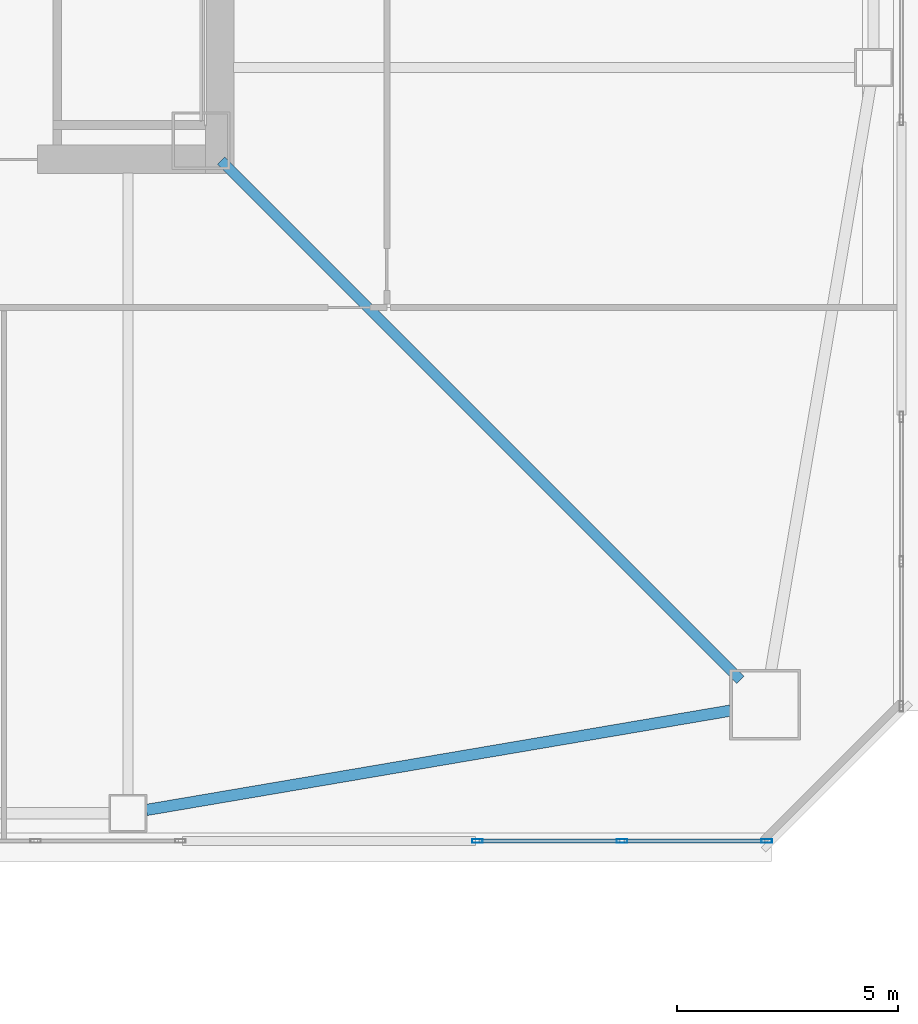
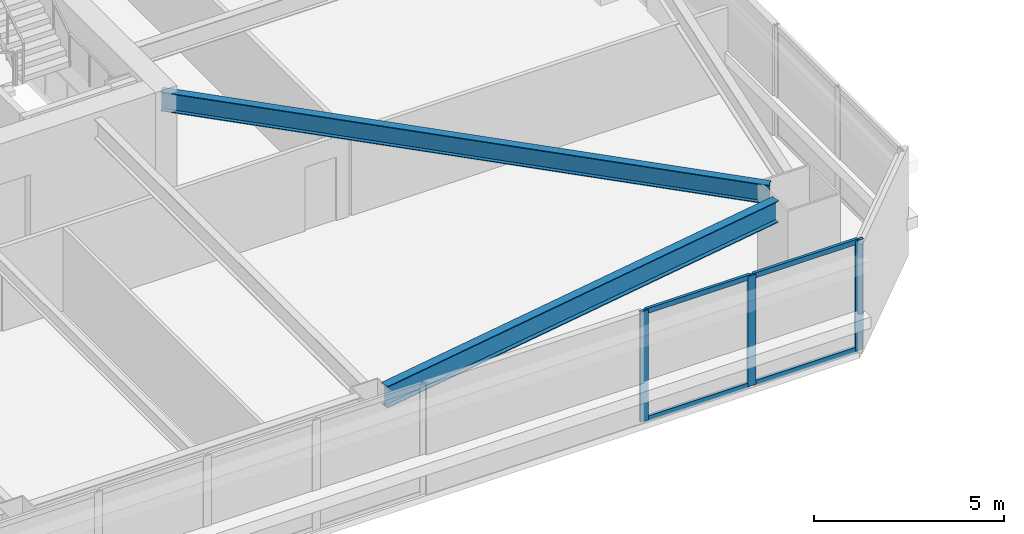
# One storey, part 8 of 47: 7 members, 2 beams, 1 element without a shape of its own.
"""IFC4 building model written with IfcOpenShell, lengths in metres."""

from ifc_helpers import new_model, si_unit, direction, frame, origin, origin_2d, place, context, subcontext, project, spatial, hollow_rectangle, i_section, extrude, material, material_profile, profile_set, type_object, element, aggregate, save


model = new_model("IFC4")

# Units and contexts
model_context = context("Model", 3, precision=1e-05, world=origin(), true_north=direction((0.0, 1.0)))
body_context = subcontext(model_context, "Body", "Model", "MODEL_VIEW")
ifc_project = project(units=[si_unit("LENGTHUNIT", "METRE"), si_unit("AREAUNIT", "SQUARE_METRE"), si_unit("VOLUMEUNIT", "CUBIC_METRE"), si_unit("PLANEANGLEUNIT", "RADIAN"), si_unit("MASSUNIT", "GRAM", prefix="KILO")], contexts=[model_context])

# Site, building, storey
site_placement = place(None, origin())
site = spatial("IfcSite", under=ifc_project, at=site_placement, CompositionType="ELEMENT")
building_placement = place(site_placement, origin())
building = spatial("IfcBuilding", under=site, at=building_placement, Name="Tashvorn Skyway Center", CompositionType="ELEMENT")
storey_placement = place(building_placement, frame((0.0, 0.0, 42.35009765625)))
storey = spatial("IfcBuildingStorey", under=building, at=storey_placement, Name="L10", CompositionType="ELEMENT", Elevation=42.35009765625)

# Beams
ifc_material_1 = material(Name="Steel ASTM A992 Grade 50", Category="steel")
ifc_material_profile_1 = material_profile(ifc_material_1, i_section(OverallWidth=0.22998046875, OverallDepth=0.616943359375, WebThickness=0.01318359375, FlangeThickness=0.022216796875, at=origin_2d()), Name="W24X94")
ifc_profile_set_1 = profile_set([ifc_material_profile_1], Name="Steel ASTM A992 Grade 50")
beam_type_1 = type_object("IfcBeamType", Name="BM-BEAM-W24X94", PredefinedType="BEAM", material=ifc_profile_set_1)
beam_1_placement = place(storey_placement, frame((61.23779296875, 12.76220703125, 3.04150390625), z_axis=(-0.707106781187, 0.707106781187, 0.0), x_axis=(-0.707106781187, -0.707106781187, 0.0)))
element("IfcBeam", 1, at=beam_1_placement, inside=storey, type_object=beam_type_1, Name="Tower 1 L10 Primary Floor Girder MC-SE", PredefinedType="BEAM", context=body_context, shape_type="SweptSolid", body=[
    extrude(i_section(OverallWidth=0.22998046875, OverallDepth=0.616943359375, WebThickness=0.01318359375, FlangeThickness=0.022216796875, at=origin_2d()), origin(), (0.0, 0.0, 1.0), 16.591064453125),
])
ifc_material_profile_2 = material_profile(ifc_material_1, i_section(OverallWidth=0.256103515625, OverallDepth=0.693115234375, WebThickness=0.014404296875, FlangeThickness=0.023681640625, at=origin_2d()), Name="W27X114")
ifc_profile_set_2 = profile_set([ifc_material_profile_2], Name="Steel ASTM A992 Grade 50")
beam_type_2 = type_object("IfcBeamType", Name="BM-SPANDREL-W27X114", PredefinedType="SPANDREL", material=ifc_profile_set_2)
beam_2_placement = place(storey_placement, frame((47.81396484375, 9.820556640625, 3.00341796875), z_axis=(0.985835025551, 0.16771792509, 0.0), x_axis=(-0.16771792509, 0.985835025551, 0.0)))
element("IfcBeam", 2, at=beam_2_placement, inside=storey, type_object=beam_type_2, Name="Tower 1 L10 Spandrel Beam 03", PredefinedType="SPANDREL", context=body_context, shape_type="SweptSolid", body=[
    extrude(i_section(OverallWidth=0.256103515625, OverallDepth=0.693115234375, WebThickness=0.014404296875, FlangeThickness=0.023681640625, at=origin_2d()), origin(), (0.0, 0.0, 1.0), 13.39208984375),
])

# Curtain wall, members
ifc_material_2 = material(Name="Thermally broken bronze-anodized aluminium 6063-T6", Category="aluminium")
curtain_wall_type = type_object("IfcCurtainWallType", Name="CW-CW-Z1", PredefinedType="NOTDEFINED", material=ifc_material_2)
curtain_wall_placement = place(storey_placement, origin())
curtain_wall = element("IfcCurtainWall", 3, at=curtain_wall_placement, inside=storey, type_object=curtain_wall_type, Name="Tower 1 L10 South Unitised Curtain Wall Glazing Group 1", PredefinedType="NOTDEFINED")
ifc_material_profile_3 = material_profile(ifc_material_2, hollow_rectangle(XDim=0.0849609375, YDim=0.239990234375, WallThickness=0.0048828125, at=origin_2d()), Name="ALU-MULL-85x240")
ifc_profile_set_3 = profile_set([ifc_material_profile_3], Name="Thermally broken bronze-anodized aluminium 6063-T6")
member_type_1 = type_object("IfcMemberType", Name="CWM-CW-Z1", PredefinedType="MULLION", material=ifc_profile_set_3)
member_1_placement = place(storey_placement, frame((61.83740234375, 9.1201171875, 0.0), z_axis=(0.0, 0.0, 1.0), x_axis=(0.0, -1.0, 0.0)))
member_1 = element("IfcMember", 4, at=member_1_placement, type_object=member_type_1, Name="CW-Z1 mullion 1", PredefinedType="MULLION", context=body_context, shape_type="SweptSolid", body=[
    extrude(hollow_rectangle(XDim=0.0849609375, YDim=0.239990234375, WallThickness=0.0048828125, at=origin_2d()), origin(), (0.0, 0.0, 1.0), 3.5498046875),
])
member_2_placement = place(storey_placement, frame((58.566650390625, 9.1201171875, 0.0), z_axis=(0.0, 0.0, 1.0), x_axis=(0.0, -1.0, 0.0)))
member_2 = element("IfcMember", 5, at=member_2_placement, type_object=member_type_1, Name="CW-Z1 mullion 2", PredefinedType="MULLION", context=body_context, shape_type="SweptSolid", body=[
    extrude(hollow_rectangle(XDim=0.0849609375, YDim=0.239990234375, WallThickness=0.0048828125, at=origin_2d()), origin(), (0.0, 0.0, 1.0), 3.5498046875),
])
member_3_placement = place(storey_placement, frame((55.2958984375, 9.1201171875, 0.0), z_axis=(0.0, 0.0, 1.0), x_axis=(0.0, -1.0, 0.0)))
member_3 = element("IfcMember", 6, at=member_3_placement, type_object=member_type_1, Name="CW-Z1 mullion 3", PredefinedType="MULLION", context=body_context, shape_type="SweptSolid", body=[
    extrude(hollow_rectangle(XDim=0.0849609375, YDim=0.239990234375, WallThickness=0.0048828125, at=origin_2d()), origin(), (0.0, 0.0, 1.0), 3.5498046875),
])
ifc_material_profile_4 = material_profile(ifc_material_2, hollow_rectangle(XDim=0.0849609375, YDim=0.1650390625, WallThickness=0.0048828125, at=origin_2d()), Name="ALU-TRAN-85x165")
ifc_profile_set_4 = profile_set([ifc_material_profile_4], Name="Thermally broken bronze-anodized aluminium 6063-T6")
member_type_2 = type_object("IfcMemberType", Name="CWT-CW-Z1", PredefinedType="USERDEFINED", material=ifc_profile_set_4)
member_4_placement = place(storey_placement, frame((61.794921875, 9.1201171875, 0.04248046875), z_axis=(-1.0, 0.0, 0.0), x_axis=(0.0, -1.0, 0.0)))
member_4 = element("IfcMember", 7, at=member_4_placement, type_object=member_type_2, Name="CW-Z1 transom 1.1", ObjectType="TRANSOM", PredefinedType="USERDEFINED", context=body_context, shape_type="SweptSolid", body=[
    extrude(hollow_rectangle(XDim=0.0849609375, YDim=0.1650390625, WallThickness=0.0048828125, at=origin_2d()), origin(), (0.0, 0.0, 1.0), 3.185791015625),
])
member_5_placement = place(storey_placement, frame((61.794921875, 9.1201171875, 3.50732421875), z_axis=(-1.0, 0.0, 0.0), x_axis=(0.0, -1.0, 0.0)))
member_5 = element("IfcMember", 8, at=member_5_placement, type_object=member_type_2, Name="CW-Z1 transom 1.2", ObjectType="TRANSOM", PredefinedType="USERDEFINED", context=body_context, shape_type="SweptSolid", body=[
    extrude(hollow_rectangle(XDim=0.0849609375, YDim=0.1650390625, WallThickness=0.0048828125, at=origin_2d()), origin(), (0.0, 0.0, 1.0), 3.185791015625),
])
member_6_placement = place(storey_placement, frame((58.524169921875, 9.1201171875, 0.04248046875), z_axis=(-1.0, 0.0, 0.0), x_axis=(0.0, -1.0, 0.0)))
member_6 = element("IfcMember", 9, at=member_6_placement, type_object=member_type_2, Name="CW-Z1 transom 2.1", ObjectType="TRANSOM", PredefinedType="USERDEFINED", context=body_context, shape_type="SweptSolid", body=[
    extrude(hollow_rectangle(XDim=0.0849609375, YDim=0.1650390625, WallThickness=0.0048828125, at=origin_2d()), origin(), (0.0, 0.0, 1.0), 3.185791015625),
])
member_7_placement = place(storey_placement, frame((58.524169921875, 9.1201171875, 3.50732421875), z_axis=(-1.0, 0.0, 0.0), x_axis=(0.0, -1.0, 0.0)))
member_7 = element("IfcMember", 10, at=member_7_placement, type_object=member_type_2, Name="CW-Z1 transom 2.2", ObjectType="TRANSOM", PredefinedType="USERDEFINED", context=body_context, shape_type="SweptSolid", body=[
    extrude(hollow_rectangle(XDim=0.0849609375, YDim=0.1650390625, WallThickness=0.0048828125, at=origin_2d()), origin(), (0.0, 0.0, 1.0), 3.185791015625),
])
aggregate(curtain_wall, [member_1, member_2, member_3, member_4, member_5, member_6, member_7])

save(model, "model.ifc")
